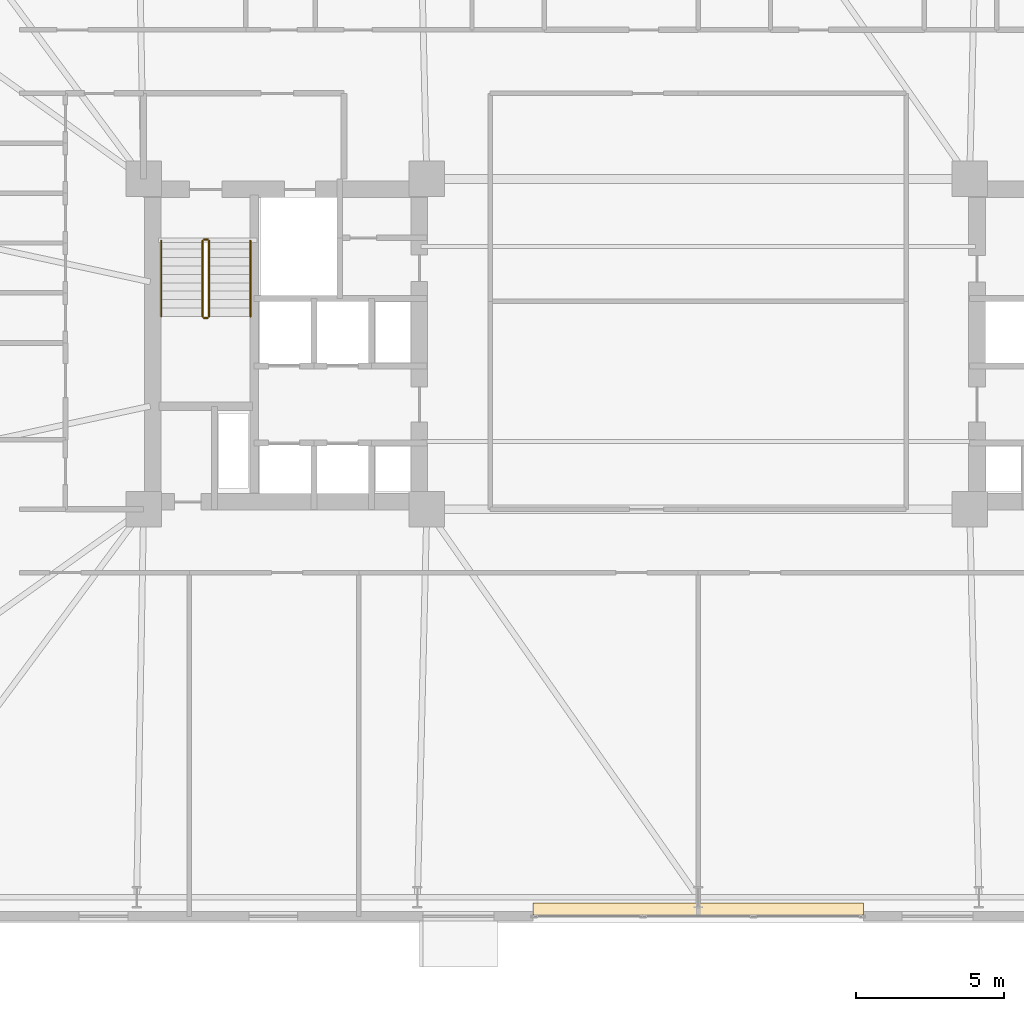
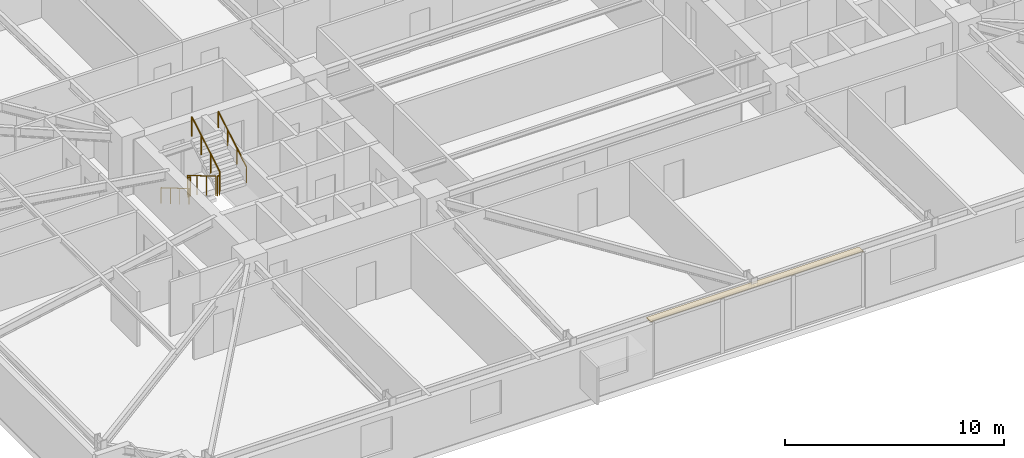
# One storey, part 23 of 24: 6 railings, 1 covering.
"""IFC4 building model written with IfcOpenShell, lengths in metres."""

from ifc_helpers import new_model, si_unit, direction, frame, origin, origin_2d, place, context, subcontext, project, spatial, polyline, circle, outline, extrude, material, layer, layer_set, type_object, element, save


model = new_model("IFC4")

# Units and contexts
model_context = context("Model", 3, precision=1e-05, world=origin(), true_north=direction((0.0, 1.0)))
body_context = subcontext(model_context, "Body", "Model", "MODEL_VIEW")
ifc_project = project(units=[si_unit("LENGTHUNIT", "METRE"), si_unit("AREAUNIT", "SQUARE_METRE"), si_unit("VOLUMEUNIT", "CUBIC_METRE"), si_unit("PLANEANGLEUNIT", "RADIAN"), si_unit("MASSUNIT", "GRAM", prefix="KILO")], contexts=[model_context])

# Site, building, storey
site_placement = place(None, origin())
site = spatial("IfcSite", under=ifc_project, at=site_placement, CompositionType="ELEMENT")
building_placement = place(site_placement, origin())
building = spatial("IfcBuilding", under=site, at=building_placement, Name="Qobustan Lattice House", CompositionType="ELEMENT")
storey_placement = place(building_placement, frame((0.0, 0.0, 43.75)))
storey = spatial("IfcBuildingStorey", under=building, at=storey_placement, Name="L11", CompositionType="ELEMENT", Elevation=43.75)

# Covering
ifc_material_1 = material(Name="Persian walnut timber lining", Category="wood")
ifc_layer = layer(ifc_material_1, 0.0380859375)
ifc_layer_set = layer_set([ifc_layer], Name="Persian walnut timber lining")
covering_type = type_object("IfcCoveringType", Name="COV-WALNUT-IWAN", PredefinedType="CLADDING", material=ifc_layer_set)
covering_placement = place(storey_placement, frame((0.0, 0.0, 2.9970703125)))
element("IfcCovering", 1, at=covering_placement, inside=storey, type_object=covering_type, Name="L11 IWAN-1 Persian walnut soffit cladding", PredefinedType="CLADDING", context=body_context, shape_type="SweptSolid", body=[
    extrude(outline(polyline([(5.60009765625, -19.35009765625), (-5.60009765625, -19.35009765625), (-5.60009765625, -18.949951171875), (5.60009765625, -18.949951171875), (5.60009765625, -19.35009765625)])), origin(), (0.0, 0.0, 1.0), 0.037841796875),
])

# Railings
ifc_material_2 = material(Name="Brushed stainless steel handrail", Category="steel")
railing_type_1 = type_object("IfcRailingType", Name="RAL-HR-920", PredefinedType="HANDRAIL", material=ifc_material_2)
railing_1_placement = place(storey_placement, frame((-18.199951171875, 3.5, 0.16748046875)))
element("IfcRailing", 2, at=railing_1_placement, inside=storey, type_object=railing_type_1, Name="L11 ST-W1 stair handrail 1", PredefinedType="HANDRAIL", context=body_context, shape_type="SweptSolid", body=[
    extrude(circle(Radius=0.02392578125, at=origin_2d()), frame((0.0, 0.0, 0.8759765625), z_axis=(0.0, -0.862113467892, 0.50671527358), x_axis=(1.0, 0.0, 0.0)), (0.0, 0.0, 1.0), 2.97509765625),
    extrude(circle(Radius=0.02099609375, at=origin_2d()), origin(), (0.0, 0.0, 1.0), 0.851806640625),
    extrude(circle(Radius=0.02099609375, at=origin_2d()), frame((0.0, -0.85498046875, 0.50244140625)), (0.0, 0.0, 1.0), 0.851806640625),
    extrude(circle(Radius=0.02099609375, at=origin_2d()), frame((0.0, -1.7099609375, 1.005126953125)), (0.0, 0.0, 1.0), 0.851806640625),
    extrude(circle(Radius=0.02099609375, at=origin_2d()), frame((0.0, -2.56494140625, 1.507568359375)), (0.0, 0.0, 1.0), 0.851806640625),
])
railing_2_placement = place(storey_placement, frame((-15.179931640625, 0.93505859375, 1.842529296875)))
element("IfcRailing", 3, at=railing_2_placement, inside=storey, type_object=railing_type_1, Name="L11 ST-W1 stair handrail 2", PredefinedType="HANDRAIL", context=body_context, shape_type="SweptSolid", body=[
    extrude(circle(Radius=0.02392578125, at=origin_2d()), frame((0.0, 0.0, 0.8759765625), z_axis=(0.0, 0.862113467892, 0.50671527358), x_axis=(-1.0, 0.0, 0.0)), (0.0, 0.0, 1.0), 2.97509765625),
    extrude(circle(Radius=0.02099609375, at=origin_2d()), origin(), (0.0, 0.0, 1.0), 0.851806640625),
    extrude(circle(Radius=0.02099609375, at=origin_2d()), frame((0.0, 0.85498046875, 0.50244140625)), (0.0, 0.0, 1.0), 0.851806640625),
    extrude(circle(Radius=0.02099609375, at=origin_2d()), frame((0.0, 1.7099609375, 1.005126953125)), (0.0, 0.0, 1.0), 0.851806640625),
    extrude(circle(Radius=0.02099609375, at=origin_2d()), frame((0.0, 2.56494140625, 1.507568359375)), (0.0, 0.0, 1.0), 0.851806640625),
])
ifc_material_3 = material(Name="Painted galvanized steel guardrail", Category="steel")
railing_type_2 = type_object("IfcRailingType", Name="RAL-STG-1150", PredefinedType="GUARDRAIL", material=ifc_material_3)
railing_3_placement = place(storey_placement, frame((-16.800048828125, 3.5, 0.16748046875)))
element("IfcRailing", 4, at=railing_3_placement, inside=storey, type_object=railing_type_2, Name="L11 ST-W1 stair guard 1", PredefinedType="GUARDRAIL", context=body_context, shape_type="SweptSolid", body=[
    extrude(circle(Radius=0.02392578125, at=origin_2d()), frame((0.0, 0.0, 1.076171875), z_axis=(0.0, -0.862113467892, 0.50671527358), x_axis=(1.0, 0.0, 0.0)), (0.0, 0.0, 1.0), 2.97509765625),
    extrude(circle(Radius=0.02099609375, at=origin_2d()), origin(), (0.0, 0.0, 1.0), 1.052001953125),
    extrude(circle(Radius=0.02099609375, at=origin_2d()), frame((0.0, -0.85498046875, 0.50244140625)), (0.0, 0.0, 1.0), 1.052001953125),
    extrude(circle(Radius=0.02099609375, at=origin_2d()), frame((0.0, -1.7099609375, 1.005126953125)), (0.0, 0.0, 1.0), 1.052001953125),
    extrude(circle(Radius=0.02099609375, at=origin_2d()), frame((0.0, -2.56494140625, 1.507568359375)), (0.0, 0.0, 1.0), 1.052001953125),
])
railing_4_placement = place(storey_placement, frame((-16.75, 0.885009765625, 1.675048828125)))
element("IfcRailing", 5, at=railing_4_placement, inside=storey, type_object=railing_type_2, Name="L11 ST-W1 stair guard 2", PredefinedType="GUARDRAIL", context=body_context, shape_type="SweptSolid", body=[
    extrude(circle(Radius=0.02392578125, at=origin_2d()), frame((0.0, 0.0, 1.076171875), z_axis=(1.0, 0.0, 0.0), x_axis=(0.0, 1.0, 0.0)), (0.0, 0.0, 1.0), 0.1201171875),
    extrude(circle(Radius=0.02099609375, at=origin_2d()), origin(), (0.0, 0.0, 1.0), 1.052001953125),
    extrude(circle(Radius=0.02099609375, at=origin_2d()), frame((0.1201171875, 0.0, 0.0)), (0.0, 0.0, 1.0), 1.052001953125),
])
railing_5_placement = place(storey_placement, frame((-16.580078125, 0.93505859375, 1.842529296875)))
element("IfcRailing", 6, at=railing_5_placement, inside=storey, type_object=railing_type_2, Name="L11 ST-W1 stair guard 3", PredefinedType="GUARDRAIL", context=body_context, shape_type="SweptSolid", body=[
    extrude(circle(Radius=0.02392578125, at=origin_2d()), frame((0.0, 0.0, 1.076171875), z_axis=(0.0, 0.862113467892, 0.50671527358), x_axis=(-1.0, 0.0, 0.0)), (0.0, 0.0, 1.0), 2.97509765625),
    extrude(circle(Radius=0.02099609375, at=origin_2d()), origin(), (0.0, 0.0, 1.0), 1.052001953125),
    extrude(circle(Radius=0.02099609375, at=origin_2d()), frame((0.0, 0.85498046875, 0.50244140625)), (0.0, 0.0, 1.0), 1.052001953125),
    extrude(circle(Radius=0.02099609375, at=origin_2d()), frame((0.0, 1.7099609375, 1.005126953125)), (0.0, 0.0, 1.0), 1.052001953125),
    extrude(circle(Radius=0.02099609375, at=origin_2d()), frame((0.0, 2.56494140625, 1.507568359375)), (0.0, 0.0, 1.0), 1.052001953125),
])
railing_6_placement = place(storey_placement, frame((-16.75, 3.550048828125, 0.0)))
element("IfcRailing", 7, at=railing_6_placement, inside=storey, type_object=railing_type_2, Name="L11 ST-W1 stair guard 4", PredefinedType="GUARDRAIL", context=body_context, shape_type="SweptSolid", body=[
    extrude(circle(Radius=0.02392578125, at=origin_2d()), frame((0.0, 0.0, 1.076171875), z_axis=(1.0, 0.0, 0.0), x_axis=(0.0, 1.0, 0.0)), (0.0, 0.0, 1.0), 0.1201171875),
    extrude(circle(Radius=0.02099609375, at=origin_2d()), origin(), (0.0, 0.0, 1.0), 1.052001953125),
    extrude(circle(Radius=0.02099609375, at=origin_2d()), frame((0.1201171875, 0.0, 0.0)), (0.0, 0.0, 1.0), 1.052001953125),
])

save(model, "model.ifc")
